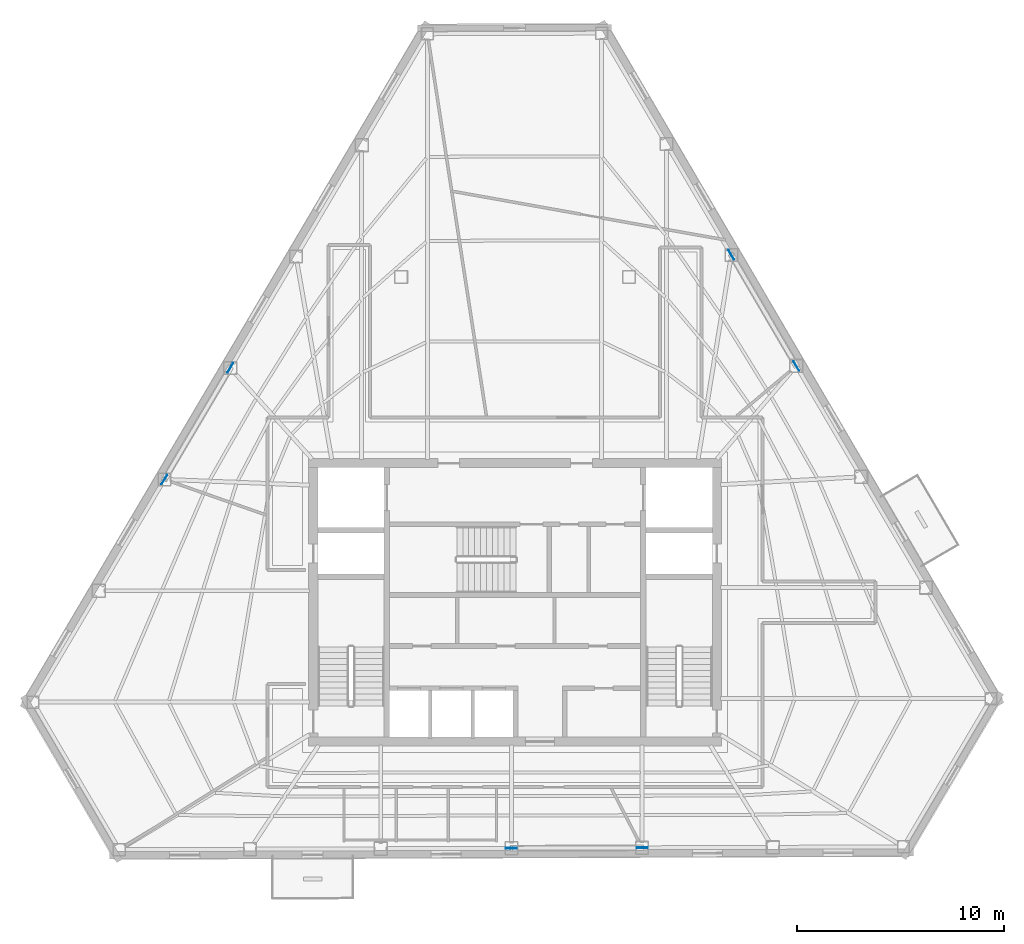
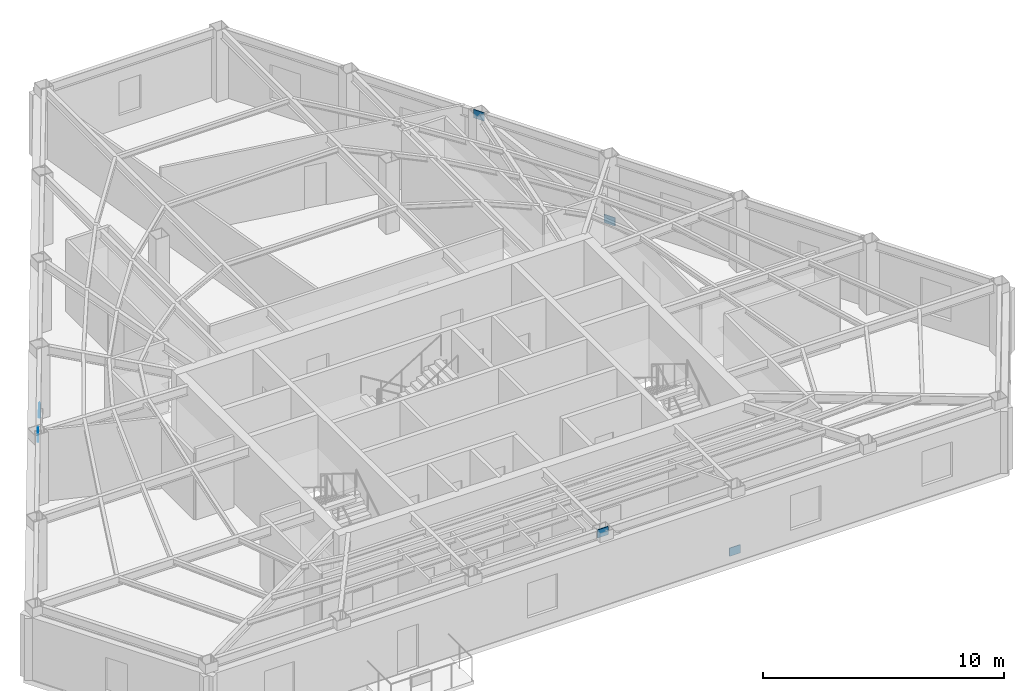
# One storey, part 4 of 9: 6 plates.
"""IFC4 building model written with IfcOpenShell, lengths in metres."""

from ifc_helpers import new_model, si_unit, direction, frame, origin, origin_2d, place, context, subcontext, project, spatial, rectangle, extrude, material, layer, layer_set, type_object, element, save


model = new_model("IFC4")

# Units and contexts
model_context = context("Model", 3, precision=1e-05, world=origin(), true_north=direction((0.0, 1.0)))
body_context = subcontext(model_context, "Body", "Model", "MODEL_VIEW")
ifc_project = project(units=[si_unit("LENGTHUNIT", "METRE"), si_unit("AREAUNIT", "SQUARE_METRE"), si_unit("VOLUMEUNIT", "CUBIC_METRE"), si_unit("PLANEANGLEUNIT", "RADIAN"), si_unit("MASSUNIT", "GRAM", prefix="KILO")], contexts=[model_context])

# Site, building, storey
site_placement = place(None, origin())
site = spatial("IfcSite", under=ifc_project, at=site_placement, CompositionType="ELEMENT")
building_placement = place(site_placement, origin())
building = spatial("IfcBuilding", under=site, at=building_placement, Name="Kavelnor Concourse Tower", CompositionType="ELEMENT")
storey_placement = place(building_placement, frame((0.0, 0.0, 207.35009765625)))
storey = spatial("IfcBuildingStorey", under=building, at=storey_placement, Name="L52", CompositionType="ELEMENT", Elevation=207.35009765625)

# Plates
ifc_material = material(Name="Steel Grade 350", Category="steel")
ifc_layer = layer(ifc_material, 0.031982421875, Name="Steel Grade 350")
ifc_layer_set = layer_set([ifc_layer], Name="Steel Grade 350")
plate_type = type_object("IfcPlateType", Name="PL-GUSSET-TUBE-Z1", PredefinedType="USERDEFINED", material=ifc_layer_set)
for number, where, z_axis, x_axis, name in (
    (1, (24.25732421875, 27.4169921875, 0.010009765625), (0.0, 0.0, 1.0), (-0.508290082898, -0.861185921638, 0.0), "L52 Tube Brace Gusset GP3 F0-B3 End Gusset A"),
    (2, (21.072509765625, 22.020263671875, 3.159912109375), (0.0, 0.0, 1.0), (-0.508290082898, -0.861185921638, 0.0), "L52 Tube Brace Gusset GP3 F0-B3 End Gusset B"),
    (3, (44.141845703125, 4.249755859375, 0.010009765625), (0.0, 0.0, 1.0), (-0.999993283193, -0.003665183223, 0.0), "L52 Tube Brace Gusset GP3 F1-B3 End Gusset A"),
    (4, (37.810546875, 4.226806640625, 3.159912109375), (0.0, 0.0, 1.0), (-0.999993283193, -0.003665183223, 0.0), "L52 Tube Brace Gusset GP3 F1-B3 End Gusset B"),
    (5, (51.577392578125, 27.498779296875, 0.010009765625), (0.0, 0.0, 1.0), (-0.50513026462, 0.863043113503, 0.0), "L52 Tube Brace Gusset GP3 F2-B3 End Gusset A"),
    (6, (48.432861328125, 32.871826171875, 3.159912109375), (0.0, 0.0, 1.0), (-0.50513026462, 0.863043113503, 0.0), "L52 Tube Brace Gusset GP3 F2-B3 End Gusset B"),
):
    element("IfcPlate", number, at=place(storey_placement, frame(where, z_axis=z_axis, x_axis=x_axis)), inside=storey, type_object=plate_type, Name=name, ObjectType="GUSSET_PLATE", PredefinedType="USERDEFINED", context=body_context, shape_type="SweptSolid", body=[
        extrude(rectangle(XDim=0.52001953125, YDim=0.031982421875, at=origin_2d()), origin(), (0.0, 0.0, 1.0), 0.419921875),
    ])

save(model, "model.ifc")
